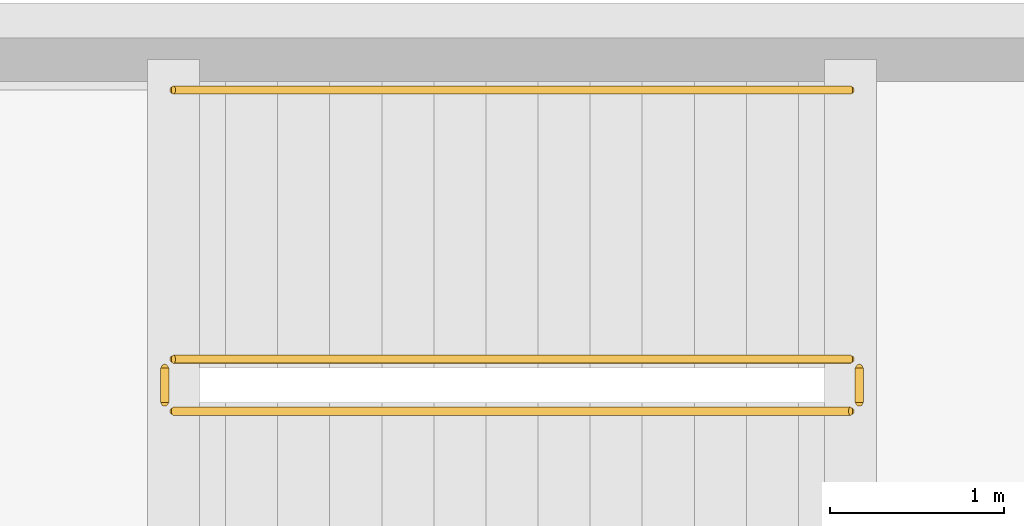
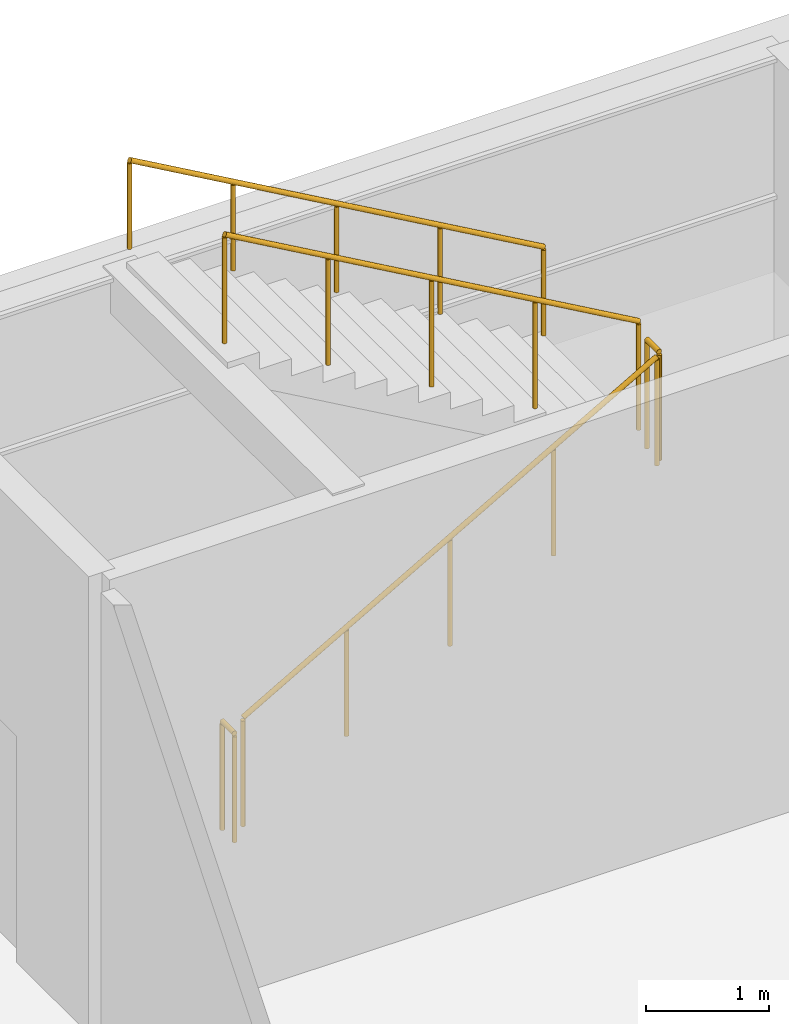
# One storey, part 160 of 172: 5 railings.
"""IFC4 building model written with IfcOpenShell, lengths in metres."""

from ifc_helpers import new_model, si_unit, direction, frame, origin, origin_2d, place, context, subcontext, project, spatial, circle, extrude, material, type_object, element, save


model = new_model("IFC4")

# Units and contexts
model_context = context("Model", 3, precision=1e-05, world=origin(), true_north=direction((0.0, 1.0)))
body_context = subcontext(model_context, "Body", "Model", "MODEL_VIEW")
ifc_project = project(units=[si_unit("LENGTHUNIT", "METRE"), si_unit("AREAUNIT", "SQUARE_METRE"), si_unit("VOLUMEUNIT", "CUBIC_METRE"), si_unit("PLANEANGLEUNIT", "RADIAN"), si_unit("MASSUNIT", "GRAM", prefix="KILO")], contexts=[model_context])

# Site, building, storey
site_placement = place(None, origin())
site = spatial("IfcSite", under=ifc_project, at=site_placement, CompositionType="ELEMENT")
building_placement = place(site_placement, origin())
building = spatial("IfcBuilding", under=site, at=building_placement, Name="Kazehara Bluff Congress Hotel", CompositionType="ELEMENT")
storey_placement = place(building_placement, frame((0.0, 0.0, 5.39990234375)))
storey = spatial("IfcBuildingStorey", under=building, at=storey_placement, Name="L01", CompositionType="ELEMENT", Elevation=5.39990234375)

# Railings
ifc_material_1 = material(Name="Brushed stainless steel", Category="steel")
railing_type_1 = type_object("IfcRailingType", Name="TP-GRD-INT", PredefinedType="GUARDRAIL", material=ifc_material_1)
railing_1_placement = place(storey_placement, frame((78.0, 54.35009765625, 0.171630859375)))
element("IfcRailing", 1, at=railing_1_placement, inside=storey, type_object=railing_type_1, Name="L01 ST-09 stair guard 1", PredefinedType="GUARDRAIL", context=body_context, shape_type="SweptSolid", body=[
    extrude(circle(Radius=0.02392578125, at=origin_2d()), frame((0.0, 0.0, 1.076171875), z_axis=(0.868243142124, 0.0, 0.496138938357), x_axis=(0.0, 1.0, 0.0)), (0.0, 0.0, 1.0), 4.49169921875),
    extrude(circle(Radius=0.02099609375, at=origin_2d()), origin(), (0.0, 0.0, 1.0), 1.052001953125),
    extrude(circle(Radius=0.02099609375, at=origin_2d()), frame((0.97509765625, 0.0, 0.55712890625)), (0.0, 0.0, 1.0), 1.052001953125),
    extrude(circle(Radius=0.02099609375, at=origin_2d()), frame((1.949951171875, 0.0, 1.1142578125)), (0.0, 0.0, 1.0), 1.052001953125),
    extrude(circle(Radius=0.02099609375, at=origin_2d()), frame((2.9248046875, 0.0, 1.67138671875)), (0.0, 0.0, 1.0), 1.052001953125),
    extrude(circle(Radius=0.02099609375, at=origin_2d()), frame((3.89990234375, 0.0, 2.228515625)), (0.0, 0.0, 1.0), 1.052001953125),
])
railing_2_placement = place(storey_placement, frame((81.949951171875, 54.39990234375, 2.400146484375)))
element("IfcRailing", 2, at=railing_2_placement, inside=storey, type_object=railing_type_1, Name="L01 ST-09 stair guard 2", PredefinedType="GUARDRAIL", context=body_context, shape_type="SweptSolid", body=[
    extrude(circle(Radius=0.02392578125, at=origin_2d()), frame((0.0, 0.0, 1.076171875), z_axis=(0.0, 1.0, 0.0), x_axis=(-1.0, 0.0, 0.0)), (0.0, 0.0, 1.0), 0.2001953125),
    extrude(circle(Radius=0.02099609375, at=origin_2d()), origin(), (0.0, 0.0, 1.0), 1.052001953125),
    extrude(circle(Radius=0.02099609375, at=origin_2d()), frame((0.0, 0.2001953125, 0.0)), (0.0, 0.0, 1.0), 1.052001953125),
])
railing_3_placement = place(storey_placement, frame((81.89990234375, 54.64990234375, 2.571533203125)))
element("IfcRailing", 3, at=railing_3_placement, inside=storey, type_object=railing_type_1, Name="L01 ST-09 stair guard 3", PredefinedType="GUARDRAIL", context=body_context, shape_type="SweptSolid", body=[
    extrude(circle(Radius=0.02392578125, at=origin_2d()), frame((0.0, 0.0, 1.076171875), z_axis=(-0.868243142124, 0.0, 0.496138938357), x_axis=(0.0, -1.0, 0.0)), (0.0, 0.0, 1.0), 4.49169921875),
    extrude(circle(Radius=0.02099609375, at=origin_2d()), origin(), (0.0, 0.0, 1.0), 1.052001953125),
    extrude(circle(Radius=0.02099609375, at=origin_2d()), frame((-0.97509765625, 0.0, 0.55712890625)), (0.0, 0.0, 1.0), 1.052001953125),
    extrude(circle(Radius=0.02099609375, at=origin_2d()), frame((-1.949951171875, 0.0, 1.1142578125)), (0.0, 0.0, 1.0), 1.052001953125),
    extrude(circle(Radius=0.02099609375, at=origin_2d()), frame((-2.9248046875, 0.0, 1.67138671875)), (0.0, 0.0, 1.0), 1.052001953125),
    extrude(circle(Radius=0.02099609375, at=origin_2d()), frame((-3.89990234375, 0.0, 2.228515625)), (0.0, 0.0, 1.0), 1.052001953125),
])
railing_4_placement = place(storey_placement, frame((77.949951171875, 54.39990234375, 0.0)))
element("IfcRailing", 4, at=railing_4_placement, inside=storey, type_object=railing_type_1, Name="L01 ST-09 stair guard 4", PredefinedType="GUARDRAIL", context=body_context, shape_type="SweptSolid", body=[
    extrude(circle(Radius=0.02392578125, at=origin_2d()), frame((0.0, 0.0, 1.076171875), z_axis=(0.0, 1.0, 0.0), x_axis=(-1.0, 0.0, 0.0)), (0.0, 0.0, 1.0), 0.2001953125),
    extrude(circle(Radius=0.02099609375, at=origin_2d()), origin(), (0.0, 0.0, 1.0), 1.052001953125),
    extrude(circle(Radius=0.02099609375, at=origin_2d()), frame((0.0, 0.2001953125, 0.0)), (0.0, 0.0, 1.0), 1.052001953125),
])
ifc_material_2 = material(Name="Brushed stainless steel", Category="steel")
railing_type_2 = type_object("IfcRailingType", Name="TP-HR-INT", PredefinedType="HANDRAIL", material=ifc_material_2)
railing_5_placement = place(storey_placement, frame((81.89990234375, 56.199951171875, 2.571533203125)))
element("IfcRailing", 5, at=railing_5_placement, inside=storey, type_object=railing_type_2, Name="L01 ST-09 stair handrail 2", PredefinedType="HANDRAIL", context=body_context, shape_type="SweptSolid", body=[
    extrude(circle(Radius=0.02392578125, at=origin_2d()), frame((0.0, 0.0, 0.8759765625), z_axis=(-0.868243142124, 0.0, 0.496138938357), x_axis=(0.0, -1.0, 0.0)), (0.0, 0.0, 1.0), 4.49169921875),
    extrude(circle(Radius=0.02099609375, at=origin_2d()), origin(), (0.0, 0.0, 1.0), 0.851806640625),
    extrude(circle(Radius=0.02099609375, at=origin_2d()), frame((-0.97509765625, 0.0, 0.55712890625)), (0.0, 0.0, 1.0), 0.851806640625),
    extrude(circle(Radius=0.02099609375, at=origin_2d()), frame((-1.949951171875, 0.0, 1.1142578125)), (0.0, 0.0, 1.0), 0.851806640625),
    extrude(circle(Radius=0.02099609375, at=origin_2d()), frame((-2.9248046875, 0.0, 1.67138671875)), (0.0, 0.0, 1.0), 0.851806640625),
    extrude(circle(Radius=0.02099609375, at=origin_2d()), frame((-3.89990234375, 0.0, 2.228515625)), (0.0, 0.0, 1.0), 0.851806640625),
])

save(model, "model.ifc")
